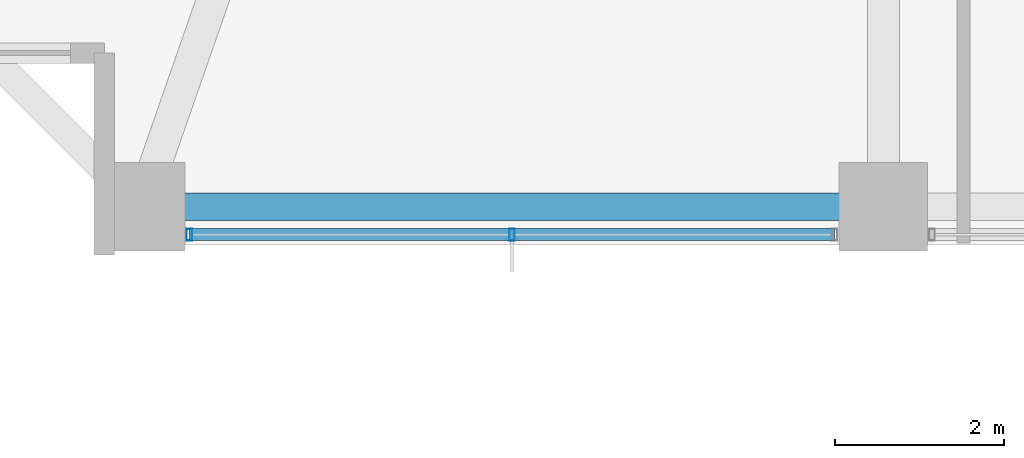
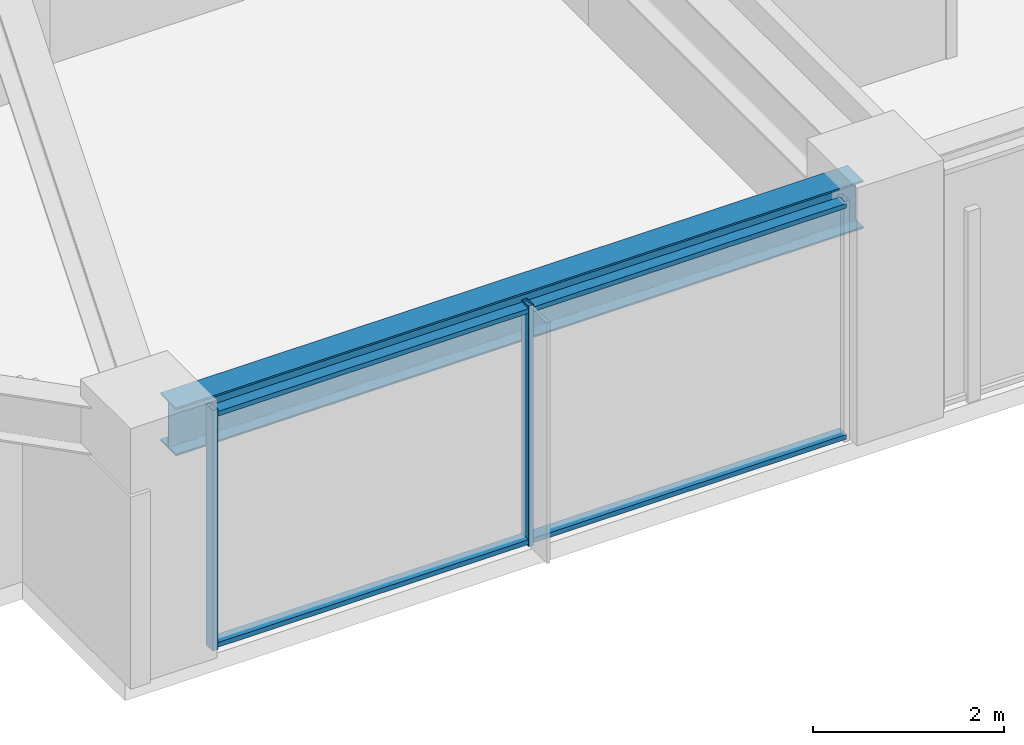
# One storey, part 2 of 38: 4 members, 1 beam, 1 element without a shape of its own.
"""IFC4 building model written with IfcOpenShell, lengths in metres."""

from ifc_helpers import new_model, si_unit, direction, frame, origin, origin_2d, place, context, subcontext, project, spatial, hollow_rectangle, i_section, extrude, material, material_profile, profile_set, type_object, element, aggregate, save


model = new_model("IFC4")

# Units and contexts
model_context = context("Model", 3, precision=1e-05, world=origin(), true_north=direction((0.0, 1.0)))
body_context = subcontext(model_context, "Body", "Model", "MODEL_VIEW")
ifc_project = project(units=[si_unit("LENGTHUNIT", "METRE"), si_unit("AREAUNIT", "SQUARE_METRE"), si_unit("VOLUMEUNIT", "CUBIC_METRE"), si_unit("PLANEANGLEUNIT", "RADIAN"), si_unit("MASSUNIT", "GRAM", prefix="KILO")], contexts=[model_context])

# Site, building, storey
site_placement = place(None, origin())
site = spatial("IfcSite", under=ifc_project, at=site_placement, CompositionType="ELEMENT")
building_placement = place(site_placement, origin())
building = spatial("IfcBuilding", under=site, at=building_placement, Name="Kolvaren Belvedere", CompositionType="ELEMENT")
storey_placement = place(building_placement, frame((0.0, 0.0, 101.89990234375)))
storey = spatial("IfcBuildingStorey", under=building, at=storey_placement, Name="L29", CompositionType="ELEMENT", Elevation=101.89990234375)

# Beam
ifc_material_1 = material(Name="Structural steel ASTM A992 Grade 50", Category="steel")
ifc_material_profile_1 = material_profile(ifc_material_1, i_section(OverallWidth=0.324951171875, OverallDepth=0.615966796875, WebThickness=0.013916015625, FlangeThickness=0.021484375, FilletRadius=0.02001953125, at=origin_2d()), Name="W24X117")
ifc_profile_set_1 = profile_set([ifc_material_profile_1], Name="Structural steel ASTM A992 Grade 50")
beam_type = type_object("IfcBeamType", Name="BM-SPAN-W24X117", PredefinedType="SPANDREL", material=ifc_profile_set_1)
beam_placement = place(storey_placement, frame((-13.163818359375, -19.949951171875, 2.772216796875), z_axis=(1.0, 0.0, 0.0), x_axis=(0.0, 1.0, 0.0)))
element("IfcBeam", 1, at=beam_placement, inside=storey, type_object=beam_type, Name="L29 Perimeter Spandrel S1-S2", PredefinedType="SPANDREL", context=body_context, shape_type="SweptSolid", body=[
    extrude(i_section(OverallWidth=0.324951171875, OverallDepth=0.615966796875, WebThickness=0.013916015625, FlangeThickness=0.021484375, FilletRadius=0.02001953125, at=origin_2d()), origin(), (0.0, 0.0, 1.0), 8.32763671875),
])

# Curtain wall, members
ifc_material_2 = material(Name="Anodised pale-metal aluminium AA 6063-T6", Category="aluminium")
curtain_wall_type = type_object("IfcCurtainWallType", Name="CW-Z2-MID", PredefinedType="NOTDEFINED", material=ifc_material_2)
curtain_wall_placement = place(storey_placement, origin())
curtain_wall = element("IfcCurtainWall", 2, at=curtain_wall_placement, inside=storey, type_object=curtain_wall_type, Name="L29 Unitised Curtain Wall FCW-L29-S2-B2", PredefinedType="NOTDEFINED")
ifc_material_3 = material(Name="Anodised pale-metal aluminium AA 6063-T6", Category="aluminium")
ifc_material_profile_2 = material_profile(ifc_material_3, hollow_rectangle(XDim=0.06494140625, YDim=0.139892578125, WallThickness=0.00390625, at=origin_2d()), Name="ALU-MUL-140X65")
ifc_profile_set_2 = profile_set([ifc_material_profile_2], Name="Anodised pale-metal aluminium AA 6063-T6")
member_type_1 = type_object("IfcMemberType", Name="CW-MUL-140", PredefinedType="MULLION", material=ifc_profile_set_2)
member_1_placement = place(storey_placement, frame((-9.0, -20.280029296875, 0.0), z_axis=(0.0, 0.0, 1.0), x_axis=(1.0, 0.0, 0.0)))
member_1 = element("IfcMember", 3, at=member_1_placement, type_object=member_type_1, Name="FCW-L29-S2-B2 Unitised Mullion 2", PredefinedType="MULLION", context=body_context, shape_type="SweptSolid", body=[
    extrude(hollow_rectangle(XDim=0.06494140625, YDim=0.139892578125, WallThickness=0.00390625, at=origin_2d()), origin(), (0.0, 0.0, 1.0), 3.080078125),
])
member_2_placement = place(storey_placement, frame((-12.822509765625, -20.280029296875, 0.0), z_axis=(0.0, 0.0, 1.0), x_axis=(1.0, 0.0, 0.0)))
member_2 = element("IfcMember", 4, at=member_2_placement, type_object=member_type_1, Name="FCW-L29-S2-B2 Unitised Mullion 3", PredefinedType="MULLION", context=body_context, shape_type="SweptSolid", body=[
    extrude(hollow_rectangle(XDim=0.06494140625, YDim=0.139892578125, WallThickness=0.00390625, at=origin_2d()), origin(), (0.0, 0.0, 1.0), 3.080078125),
])
ifc_material_4 = material(Name="Anodised pale-metal aluminium AA 6063-T6", Category="aluminium")
ifc_material_profile_3 = material_profile(ifc_material_4, hollow_rectangle(XDim=0.06005859375, YDim=0.139892578125, WallThickness=0.00390625, at=origin_2d()), Name="ALU-TRN-140X60")
ifc_profile_set_3 = profile_set([ifc_material_profile_3], Name="Anodised pale-metal aluminium AA 6063-T6")
member_type_2 = type_object("IfcMemberType", Name="CW-TRN-140", PredefinedType="USERDEFINED", material=ifc_profile_set_3)
member_3_placement = place(storey_placement, frame((-5.177490234375, -20.280029296875, 0.06005859375), z_axis=(-1.0, 0.0, 0.0), x_axis=(0.0, 0.0, 1.0)))
member_3 = element("IfcMember", 5, at=member_3_placement, type_object=member_type_2, Name="FCW-L29-S2-B2 Sill Transom", ObjectType="TRANSOM", PredefinedType="USERDEFINED", context=body_context, shape_type="SweptSolid", body=[
    extrude(hollow_rectangle(XDim=0.06005859375, YDim=0.139892578125, WallThickness=0.00390625, at=origin_2d()), origin(), (0.0, 0.0, 1.0), 7.64501953125),
])
member_4_placement = place(storey_placement, frame((-5.177490234375, -20.280029296875, 3.02001953125), z_axis=(-1.0, 0.0, 0.0), x_axis=(0.0, 0.0, 1.0)))
member_4 = element("IfcMember", 6, at=member_4_placement, type_object=member_type_2, Name="FCW-L29-S2-B2 Head Transom", ObjectType="TRANSOM", PredefinedType="USERDEFINED", context=body_context, shape_type="SweptSolid", body=[
    extrude(hollow_rectangle(XDim=0.06005859375, YDim=0.139892578125, WallThickness=0.00390625, at=origin_2d()), origin(), (0.0, 0.0, 1.0), 7.64501953125),
])
aggregate(curtain_wall, [member_1, member_2, member_3, member_4])

save(model, "model.ifc")
